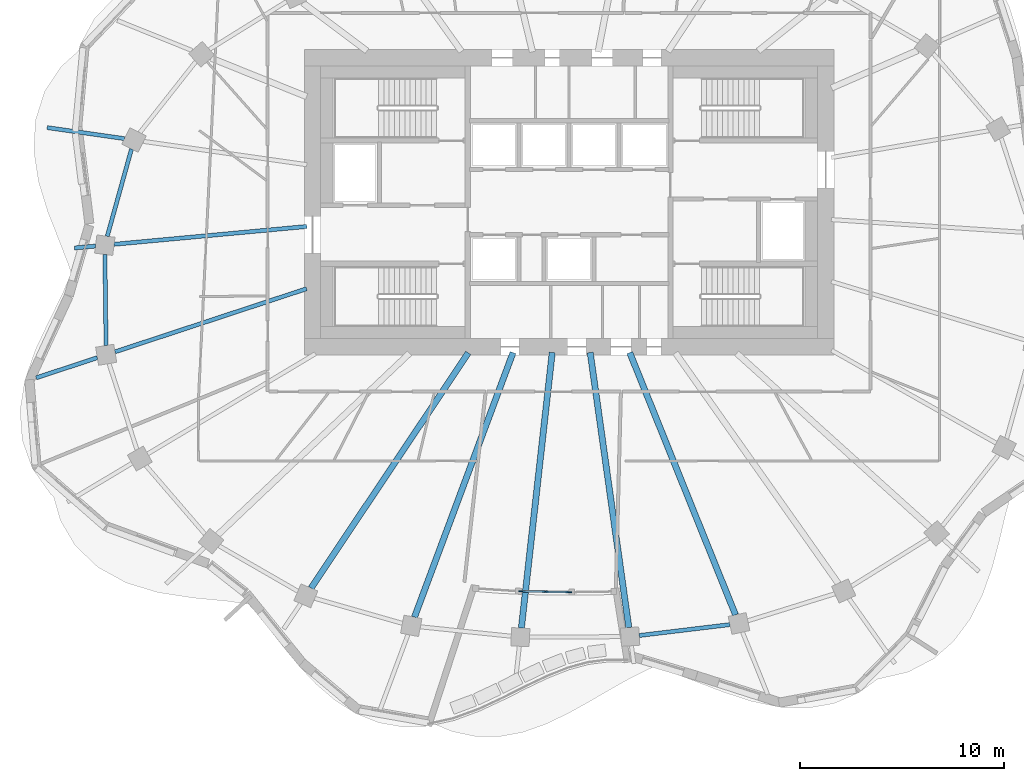
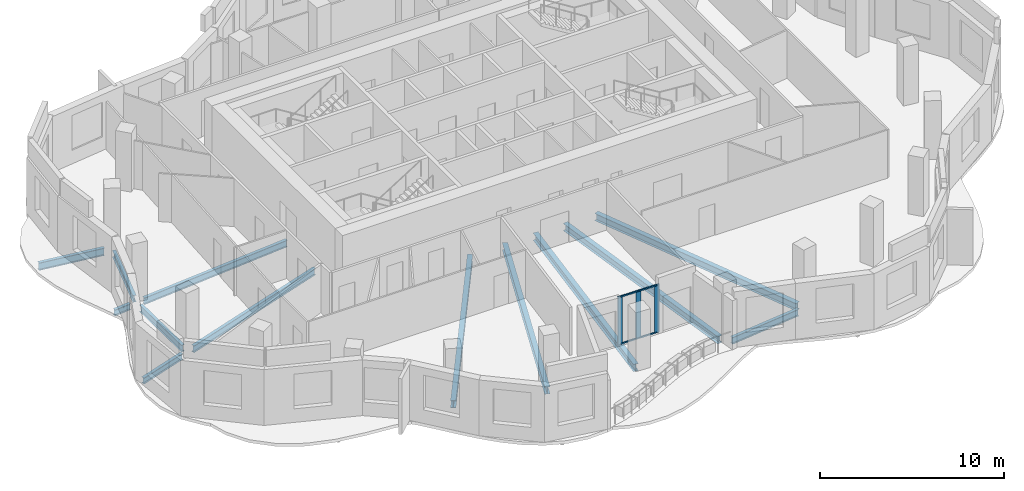
# One storey, part 2 of 12: 13 beams, 7 members, 1 element without a shape of its own.
"""IFC4 building model written with IfcOpenShell, lengths in metres."""

from ifc_helpers import new_model, si_unit, direction, frame, origin, origin_2d, place, context, subcontext, project, spatial, rectangle, i_section, extrude, material, material_profile, profile_set, type_object, element, aggregate, save


model = new_model("IFC4")

# Units and contexts
model_context = context("Model", 3, precision=1e-05, world=origin(), true_north=direction((0.0, 1.0)))
body_context = subcontext(model_context, "Body", "Model", "MODEL_VIEW")
ifc_project = project(units=[si_unit("LENGTHUNIT", "METRE"), si_unit("AREAUNIT", "SQUARE_METRE"), si_unit("VOLUMEUNIT", "CUBIC_METRE"), si_unit("PLANEANGLEUNIT", "RADIAN"), si_unit("MASSUNIT", "GRAM", prefix="KILO")], contexts=[model_context])

# Site, building, storey
site_placement = place(None, origin())
site = spatial("IfcSite", under=ifc_project, at=site_placement, CompositionType="ELEMENT")
building_placement = place(site_placement, origin())
building = spatial("IfcBuilding", under=site, at=building_placement, Name="Rubra Terraces Tower", CompositionType="ELEMENT")
storey_placement = place(building_placement, frame((0.0, 0.0, 276.60009765625)))
storey = spatial("IfcBuildingStorey", under=building, at=storey_placement, Name="L68", CompositionType="ELEMENT", Elevation=276.60009765625)

# Beams
ifc_material_1 = material(Name="Steel Q355B", Category="steel")
ifc_material_profile_1 = material_profile(ifc_material_1, i_section(OverallWidth=0.199951171875, OverallDepth=0.39990234375, WebThickness=0.008056640625, FlangeThickness=0.012939453125, at=origin_2d()), Name="HN 400x200x8x13")
ifc_profile_set_1 = profile_set([ifc_material_profile_1], Name="Steel Q355B")
beam_type_1 = type_object("IfcBeamType", Name="CANTILEVER BEAM HN 400x200x8x13", PredefinedType="BEAM", material=ifc_profile_set_1)
beam_1_placement = place(storey_placement, frame((-23.1669921875, -3.135986328125, -0.400146484375), z_axis=(-0.949818780209, -0.312800710935, 0.0), x_axis=(0.312800710935, -0.949818780209, 0.0)))
element("IfcBeam", 1, at=beam_1_placement, inside=storey, type_object=beam_type_1, Name="beam-L68-cant-13", PredefinedType="BEAM", context=body_context, shape_type="SweptSolid", body=[
    extrude(i_section(OverallWidth=0.199951171875, OverallDepth=0.39990234375, WebThickness=0.008056640625, FlangeThickness=0.012939453125, at=origin_2d()), origin(), (0.0, 0.0, 1.0), 3.1650390625),
])
ifc_material_profile_2 = material_profile(ifc_material_1, i_section(OverallWidth=0.198974609375, OverallDepth=0.49609375, WebThickness=0.009033203125, FlangeThickness=0.013916015625, at=origin_2d()), Name="HN 496x199x9x14")
ifc_profile_set_2 = profile_set([ifc_material_profile_2], Name="Steel Q355B")
beam_type_2 = type_object("IfcBeamType", Name="CANTILEVER BEAM HN 496x199x9x14", PredefinedType="BEAM", material=ifc_profile_set_2)
beam_2_placement = place(storey_placement, frame((-21.8369140625, 7.62109375, -0.447998046875), z_axis=(-0.989915068001, 0.141662126712, 0.0), x_axis=(-0.141662126712, -0.989915068001, 0.0)))
element("IfcBeam", 2, at=beam_2_placement, inside=storey, type_object=beam_type_2, Name="beam-L68-cant-11", PredefinedType="BEAM", context=body_context, shape_type="SweptSolid", body=[
    extrude(i_section(OverallWidth=0.198974609375, OverallDepth=0.49609375, WebThickness=0.009033203125, FlangeThickness=0.013916015625, at=origin_2d()), origin(), (0.0, 0.0, 1.0), 3.832763671875),
])
ifc_material_profile_3 = material_profile(ifc_material_1, i_section(OverallWidth=0.199951171875, OverallDepth=0.39990234375, WebThickness=0.008056640625, FlangeThickness=0.012939453125, at=origin_2d()), Name="HN 400x200x8x13")
ifc_profile_set_3 = profile_set([ifc_material_profile_3], Name="Steel Q355B")
beam_type_3 = type_object("IfcBeamType", Name="CANTILEVER STUB HN 400x200x8x13", PredefinedType="BEAM", material=ifc_profile_set_3)
beam_3_placement = place(storey_placement, frame((-23.260986328125, 2.345947265625, -0.400146484375), z_axis=(-0.995768342154, -0.091898905124, 0.0), x_axis=(0.091898905124, -0.995768342154, 0.0)))
element("IfcBeam", 3, at=beam_3_placement, inside=storey, type_object=beam_type_3, Name="beam-L68-cant-12", PredefinedType="BEAM", context=body_context, shape_type="SweptSolid", body=[
    extrude(i_section(OverallWidth=0.199951171875, OverallDepth=0.39990234375, WebThickness=0.008056640625, FlangeThickness=0.012939453125, at=origin_2d()), origin(), (0.0, 0.0, 1.0), 1.033447265625),
])
ifc_material_profile_4 = material_profile(ifc_material_1, i_section(OverallWidth=0.300048828125, OverallDepth=0.48193359375, WebThickness=0.010986328125, FlangeThickness=0.014892578125, at=origin_2d()), Name="HM 482x300x11x15")
ifc_profile_set_4 = profile_set([ifc_material_profile_4], Name="Steel Q355B")
beam_type_4 = type_object("IfcBeamType", Name="FLOOR BEAM HM 482x300x11x15", PredefinedType="BEAM", material=ifc_profile_set_4)
beam_4_placement = place(storey_placement, frame((-12.672119140625, -14.450927734375, -0.441162109375), z_axis=(0.55586735335, 0.831271006038, 0.0), x_axis=(-0.831271006038, 0.55586735335, 0.0)))
element("IfcBeam", 4, at=beam_4_placement, inside=storey, type_object=beam_type_4, Name="beam-L68-floor-16", PredefinedType="BEAM", context=body_context, shape_type="SweptSolid", body=[
    extrude(i_section(OverallWidth=0.300048828125, OverallDepth=0.48193359375, WebThickness=0.010986328125, FlangeThickness=0.014892578125, at=origin_2d()), origin(), (0.0, 0.0, 1.0), 13.8955078125),
])
beam_5_placement = place(storey_placement, frame((-7.592041015625, -15.87890625, -0.441162109375), z_axis=(0.349129035616, 0.937074658973, 0.0), x_axis=(-0.937074658973, 0.349129035616, 0.0)))
element("IfcBeam", 5, at=beam_5_placement, inside=storey, type_object=beam_type_4, Name="beam-L68-floor-17", PredefinedType="BEAM", context=body_context, shape_type="SweptSolid", body=[
    extrude(i_section(OverallWidth=0.300048828125, OverallDepth=0.48193359375, WebThickness=0.010986328125, FlangeThickness=0.014892578125, at=origin_2d()), origin(), (0.0, 0.0, 1.0), 13.86328125),
])
beam_6_placement = place(storey_placement, frame((-2.342041015625, -16.4140625, -0.441162109375), z_axis=(0.111334672678, 0.993782969596, 0.0), x_axis=(-0.993782969596, 0.111334672678, 0.0)))
element("IfcBeam", 6, at=beam_6_placement, inside=storey, type_object=beam_type_4, Name="beam-L68-floor-18", PredefinedType="BEAM", context=body_context, shape_type="SweptSolid", body=[
    extrude(i_section(OverallWidth=0.300048828125, OverallDepth=0.48193359375, WebThickness=0.010986328125, FlangeThickness=0.014892578125, at=origin_2d()), origin(), (0.0, 0.0, 1.0), 13.61767578125),
])
beam_7_placement = place(storey_placement, frame((2.93603515625, -16.388916015625, -0.441162109375), z_axis=(-0.139140748081, 0.990272615103, 0.0), x_axis=(-0.990272615103, -0.139140748081, 0.0)))
element("IfcBeam", 7, at=beam_7_placement, inside=storey, type_object=beam_type_4, Name="beam-L68-floor-19", PredefinedType="BEAM", context=body_context, shape_type="SweptSolid", body=[
    extrude(i_section(OverallWidth=0.300048828125, OverallDepth=0.48193359375, WebThickness=0.010986328125, FlangeThickness=0.014892578125, at=origin_2d()), origin(), (0.0, 0.0, 1.0), 13.640380859375),
])
beam_8_placement = place(storey_placement, frame((8.176025390625, -15.76806640625, -0.441162109375), z_axis=(-0.374083693877, 0.927394948215, 0.0), x_axis=(-0.927394948215, -0.374083693877, 0.0)))
element("IfcBeam", 8, at=beam_8_placement, inside=storey, type_object=beam_type_4, Name="beam-L68-floor-20", PredefinedType="BEAM", context=body_context, shape_type="SweptSolid", body=[
    extrude(i_section(OverallWidth=0.300048828125, OverallDepth=0.48193359375, WebThickness=0.010986328125, FlangeThickness=0.014892578125, at=origin_2d()), origin(), (0.0, 0.0, 1.0), 13.887451171875),
])
ifc_material_profile_5 = material_profile(ifc_material_1, i_section(OverallWidth=0.198974609375, OverallDepth=0.446044921875, WebThickness=0.008056640625, FlangeThickness=0.011962890625, at=origin_2d()), Name="HN 446x199x8x12")
ifc_profile_set_5 = profile_set([ifc_material_profile_5], Name="Steel Q355B")
beam_type_5 = type_object("IfcBeamType", Name="FLOOR BEAM HN 446x199x8x12", PredefinedType="BEAM", material=ifc_profile_set_5)
beam_9_placement = place(storey_placement, frame((-22.343017578125, 2.431884765625, -0.423095703125), z_axis=(0.995739538303, 0.092210475874, 0.0), x_axis=(-0.092210475874, 0.995739538303, 0.0)))
element("IfcBeam", 9, at=beam_9_placement, inside=storey, type_object=beam_type_5, Name="beam-L68-floor-12", PredefinedType="BEAM", context=body_context, shape_type="SweptSolid", body=[
    extrude(i_section(OverallWidth=0.198974609375, OverallDepth=0.446044921875, WebThickness=0.008056640625, FlangeThickness=0.011962890625, at=origin_2d()), origin(), (0.0, 0.0, 1.0), 9.50244140625),
])
beam_10_placement = place(storey_placement, frame((-22.301025390625, -2.85009765625, -0.423095703125), z_axis=(0.949746725795, 0.313019419273, 0.0), x_axis=(-0.313019419273, 0.949746725795, 0.0)))
element("IfcBeam", 10, at=beam_10_placement, inside=storey, type_object=beam_type_5, Name="beam-L68-floor-13", PredefinedType="BEAM", context=body_context, shape_type="SweptSolid", body=[
    extrude(i_section(OverallWidth=0.198974609375, OverallDepth=0.446044921875, WebThickness=0.008056640625, FlangeThickness=0.011962890625, at=origin_2d()), origin(), (0.0, 0.0, 1.0), 9.913330078125),
])
ifc_material_profile_6 = material_profile(ifc_material_1, i_section(OverallWidth=0.198974609375, OverallDepth=0.446044921875, WebThickness=0.008056640625, FlangeThickness=0.011962890625, at=origin_2d()), Name="HN 446x199x8x12")
ifc_profile_set_6 = profile_set([ifc_material_profile_6], Name="Steel Q355B")
beam_type_6 = type_object("IfcBeamType", Name="SPANDREL BEAM HN 446x199x8x12", PredefinedType="SPANDREL", material=ifc_profile_set_6)
beam_11_placement = place(storey_placement, frame((-21.489990234375, 7.112060546875, -0.423095703125), z_axis=(-0.267564585696, -0.963539927809, 0.0), x_axis=(0.963539927809, -0.267564585696, 0.0)))
element("IfcBeam", 11, at=beam_11_placement, inside=storey, type_object=beam_type_6, Name="beam-L68-spandrel-11", PredefinedType="SPANDREL", context=body_context, shape_type="SweptSolid", body=[
    extrude(i_section(OverallWidth=0.198974609375, OverallDepth=0.446044921875, WebThickness=0.008056640625, FlangeThickness=0.011962890625, at=origin_2d()), origin(), (0.0, 0.0, 1.0), 4.447265625),
])
beam_12_placement = place(storey_placement, frame((-22.7958984375, 1.93408203125, -0.423095703125), z_axis=(0.01250038801, -0.999921867097, 0.0), x_axis=(0.999921867097, 0.01250038801, 0.0)))
element("IfcBeam", 12, at=beam_12_placement, inside=storey, type_object=beam_type_6, Name="beam-L68-spandrel-12", PredefinedType="SPANDREL", context=body_context, shape_type="SweptSolid", body=[
    extrude(i_section(OverallWidth=0.198974609375, OverallDepth=0.446044921875, WebThickness=0.008056640625, FlangeThickness=0.011962890625, at=origin_2d()), origin(), (0.0, 0.0, 1.0), 4.472412109375),
])
beam_13_placement = place(storey_placement, frame((3.447021484375, -16.781982421875, -0.423095703125), z_axis=(0.992829862118, 0.119536040116, 0.0), x_axis=(-0.119536040116, 0.992829862118, 0.0)))
element("IfcBeam", 13, at=beam_13_placement, inside=storey, type_object=beam_type_6, Name="beam-L68-spandrel-19", PredefinedType="SPANDREL", context=body_context, shape_type="SweptSolid", body=[
    extrude(i_section(OverallWidth=0.198974609375, OverallDepth=0.446044921875, WebThickness=0.008056640625, FlangeThickness=0.011962890625, at=origin_2d()), origin(), (0.0, 0.0, 1.0), 4.483154296875),
])

# Curtain wall, members
ifc_material_2 = material(Name="Aluminium and glass", Category="aluminium")
curtain_wall_type = type_object("IfcCurtainWallType", Name="Curtain wall Terrace glazing", PredefinedType="NOTDEFINED", material=ifc_material_2)
curtain_wall_placement = place(storey_placement, origin())
curtain_wall = element("IfcCurtainWall", 14, at=curtain_wall_placement, inside=storey, type_object=curtain_wall_type, Name="Terrace glazing L68", PredefinedType="NOTDEFINED")
ifc_material_3 = material(Name="Aluminium, anodised dark grey", Category="aluminium")
ifc_material_profile_7 = material_profile(ifc_material_3, rectangle(XDim=0.050048828125, YDim=0.300048828125, at=origin_2d()), Name="AL 50x300")
ifc_profile_set_7 = profile_set([ifc_material_profile_7], Name="Aluminium, anodised dark grey")
member_type_1 = type_object("IfcMemberType", Name="Terrace glazing mullion 50 x 300", PredefinedType="MULLION", material=ifc_profile_set_7)
member_1_placement = place(storey_placement, frame((-2.310546875, -14.61328125, 0.0), z_axis=(0.0, 0.0, 1.0), x_axis=(0.015823510521, 0.99987480042, 0.0)))
member_1 = element("IfcMember", 15, at=member_1_placement, type_object=member_type_1, Name="CW3 mullion 1", PredefinedType="MULLION", context=body_context, shape_type="SweptSolid", body=[
    extrude(rectangle(XDim=0.050048828125, YDim=0.300048828125, at=origin_2d()), origin(), (0.0, 0.0, 1.0), 3.218017578125),
])
member_2_placement = place(storey_placement, frame((-1.16650390625, -14.631591796875, 0.0), z_axis=(0.0, 0.0, 1.0), x_axis=(0.015823510521, 0.99987480042, 0.0)))
member_2 = element("IfcMember", 16, at=member_2_placement, type_object=member_type_1, Name="CW3 mullion 2", PredefinedType="MULLION", context=body_context, shape_type="SweptSolid", body=[
    extrude(rectangle(XDim=0.050048828125, YDim=0.300048828125, at=origin_2d()), origin(), (0.0, 0.0, 1.0), 3.218017578125),
])
member_3_placement = place(storey_placement, frame((-0.022705078125, -14.649658203125, 0.0), z_axis=(0.0, 0.0, 1.0), x_axis=(0.015823510521, 0.99987480042, 0.0)))
member_3 = element("IfcMember", 17, at=member_3_placement, type_object=member_type_1, Name="CW3 mullion 3", PredefinedType="MULLION", context=body_context, shape_type="SweptSolid", body=[
    extrude(rectangle(XDim=0.050048828125, YDim=0.300048828125, at=origin_2d()), origin(), (0.0, 0.0, 1.0), 3.218017578125),
])
ifc_material_profile_8 = material_profile(ifc_material_3, rectangle(XDim=0.10009765625, YDim=0.050048828125, at=origin_2d()), Name="AL 100x50")
ifc_profile_set_8 = profile_set([ifc_material_profile_8], Name="Aluminium, anodised dark grey")
member_type_2 = type_object("IfcMemberType", Name="Terrace glazing transom 100 x 50", PredefinedType="USERDEFINED", material=ifc_profile_set_8)
member_4_placement = place(storey_placement, frame((-2.28564453125, -14.61376953125, 0.0498046875), z_axis=(0.999874496728, -0.015842688968, 0.0), x_axis=(0.015842688968, 0.999874496728, 0.0)))
member_4 = element("IfcMember", 18, at=member_4_placement, type_object=member_type_2, Name="CW3 transom 1.1", ObjectType="TRANSOM", PredefinedType="USERDEFINED", context=body_context, shape_type="SweptSolid", body=[
    extrude(rectangle(XDim=0.10009765625, YDim=0.050048828125, at=origin_2d()), origin(), (0.0, 0.0, 1.0), 1.09423828125),
])
member_5_placement = place(storey_placement, frame((-2.28564453125, -14.61376953125, 3.16796875), z_axis=(0.999874496728, -0.015842688968, 0.0), x_axis=(0.015842688968, 0.999874496728, 0.0)))
member_5 = element("IfcMember", 19, at=member_5_placement, type_object=member_type_2, Name="CW3 transom 1.2", ObjectType="TRANSOM", PredefinedType="USERDEFINED", context=body_context, shape_type="SweptSolid", body=[
    extrude(rectangle(XDim=0.10009765625, YDim=0.050048828125, at=origin_2d()), origin(), (0.0, 0.0, 1.0), 1.09423828125),
])
member_6_placement = place(storey_placement, frame((-1.1416015625, -14.6318359375, 0.0498046875), z_axis=(0.999874496728, -0.015842688968, 0.0), x_axis=(0.015842688968, 0.999874496728, 0.0)))
member_6 = element("IfcMember", 20, at=member_6_placement, type_object=member_type_2, Name="CW3 transom 2.1", ObjectType="TRANSOM", PredefinedType="USERDEFINED", context=body_context, shape_type="SweptSolid", body=[
    extrude(rectangle(XDim=0.10009765625, YDim=0.050048828125, at=origin_2d()), origin(), (0.0, 0.0, 1.0), 1.09423828125),
])
member_7_placement = place(storey_placement, frame((-1.1416015625, -14.6318359375, 3.16796875), z_axis=(0.999874496728, -0.015842688968, 0.0), x_axis=(0.015842688968, 0.999874496728, 0.0)))
member_7 = element("IfcMember", 21, at=member_7_placement, type_object=member_type_2, Name="CW3 transom 2.2", ObjectType="TRANSOM", PredefinedType="USERDEFINED", context=body_context, shape_type="SweptSolid", body=[
    extrude(rectangle(XDim=0.10009765625, YDim=0.050048828125, at=origin_2d()), origin(), (0.0, 0.0, 1.0), 1.09423828125),
])
aggregate(curtain_wall, [member_1, member_2, member_3, member_4, member_5, member_6, member_7])

save(model, "model.ifc")
